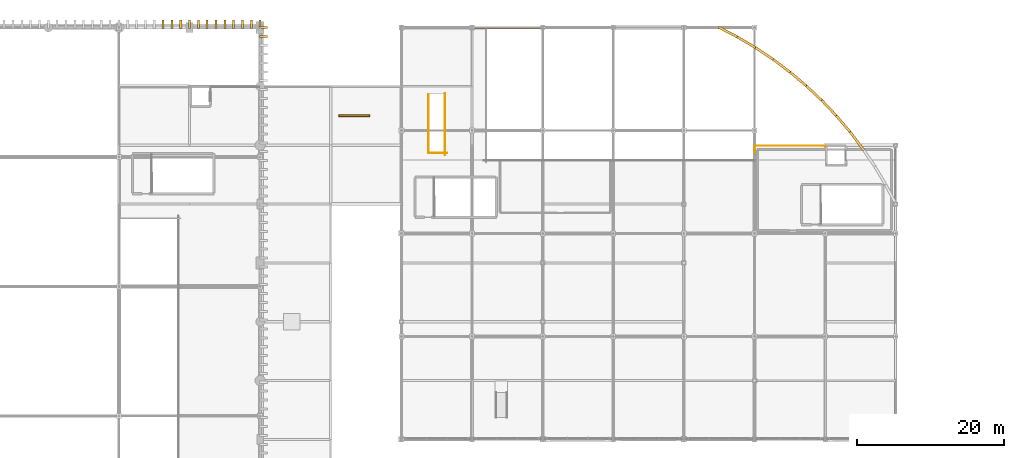
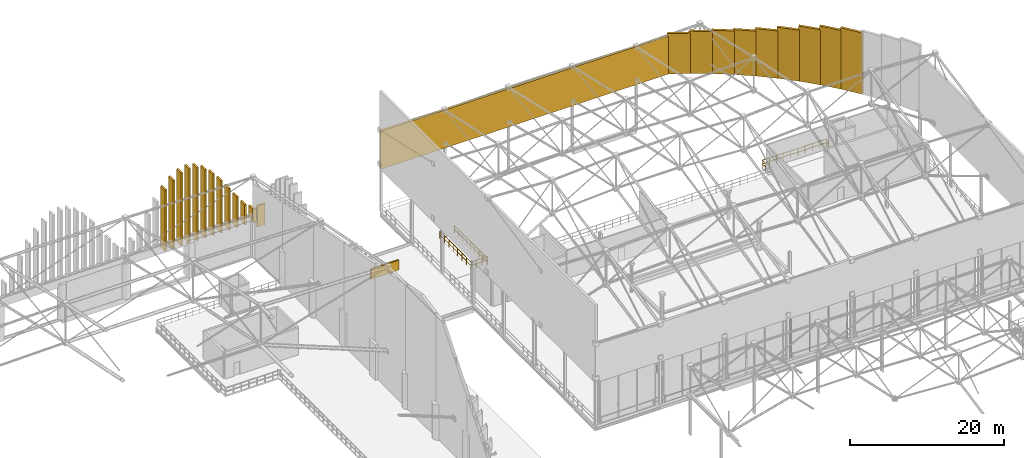
# One storey, part 193 of 193: 24 coverings, 3 railings, 1 shading device.
"""IFC4 building model written with IfcOpenShell, lengths in metres."""

from ifc_helpers import new_model, si_unit, direction, frame, origin, origin_2d, place, context, subcontext, project, spatial, rectangle, circle, extrude, material, layer, layer_set, type_object, element, save


model = new_model("IFC4")

# Units and contexts
model_context = context("Model", 3, precision=1e-05, world=origin(), true_north=direction((0.0, 1.0)))
body_context = subcontext(model_context, "Body", "Model", "MODEL_VIEW")
ifc_project = project(units=[si_unit("LENGTHUNIT", "METRE"), si_unit("AREAUNIT", "SQUARE_METRE"), si_unit("VOLUMEUNIT", "CUBIC_METRE"), si_unit("PLANEANGLEUNIT", "RADIAN"), si_unit("MASSUNIT", "GRAM", prefix="KILO")], contexts=[model_context])

# Site, building, storey
site_placement = place(None, origin())
site = spatial("IfcSite", under=ifc_project, at=site_placement, CompositionType="ELEMENT")
building_placement = place(site_placement, origin())
building = spatial("IfcBuilding", under=site, at=building_placement, Name="Danafjord Basin Convention Centre", CompositionType="ELEMENT")
storey_placement = place(building_placement, frame((0.0, 0.0, 11.39990234375)))
storey = spatial("IfcBuildingStorey", under=building, at=storey_placement, Name="L02", CompositionType="ELEMENT", Elevation=11.39990234375)

# Coverings
ifc_material_1 = material(Name="Architectural white precast concrete C45/55", Category="concrete")
ifc_layer_1 = layer(ifc_material_1, 0.320068359375)
ifc_layer_set_1 = layer_set([ifc_layer_1], Name="Architectural white precast concrete C45/55")
covering_type_1 = type_object("IfcCoveringType", Name="COV-BAND-HORIZ", PredefinedType="CLADDING", material=ifc_layer_set_1)
covering_1_placement = place(storey_placement, frame((196.322265625, 128.572021484375, 6.89990234375), z_axis=(0.0, 0.0, 1.0), x_axis=(-0.60270688048, 0.797962665933, 0.0)))
element("IfcCovering", 1, at=covering_1_placement, inside=storey, type_object=covering_type_1, Name="Plenary hall upper wave-eave acoustic enclosure panel 6", PredefinedType="CLADDING", context=body_context, shape_type="SweptSolid", body=[
    extrude(rectangle(XDim=3.131103515625, YDim=0.340087890625, at=origin_2d()), origin(), (0.0, 0.0, 1.0), 9.737060546875),
])
covering_2_placement = place(storey_placement, frame((194.523681640625, 130.821044921875, 6.900146484375), z_axis=(0.0, 0.0, 1.0), x_axis=(-0.645950021641, 0.763379702076, 0.0)))
element("IfcCovering", 2, at=covering_2_placement, inside=storey, type_object=covering_type_1, Name="Plenary hall upper wave-eave acoustic enclosure panel 7", PredefinedType="CLADDING", context=body_context, shape_type="SweptSolid", body=[
    extrude(rectangle(XDim=3.131103515625, YDim=0.340087890625, at=origin_2d()), origin(), (0.0, 0.0, 1.0), 9.3310546875),
])
covering_3_placement = place(storey_placement, frame((192.603271484375, 132.966796875, 6.89990234375), z_axis=(0.0, 0.0, 1.0), x_axis=(-0.687239958325, 0.726430478216, 0.0)))
element("IfcCovering", 3, at=covering_3_placement, inside=storey, type_object=covering_type_1, Name="Plenary hall upper wave-eave acoustic enclosure panel 8", PredefinedType="CLADDING", context=body_context, shape_type="SweptSolid", body=[
    extrude(rectangle(XDim=3.131103515625, YDim=0.340087890625, at=origin_2d()), origin(), (0.0, 0.0, 1.0), 8.763916015625),
])
covering_4_placement = place(storey_placement, frame((190.56689453125, 135.003173828125, 6.89990234375), z_axis=(0.0, 0.0, 1.0), x_axis=(-0.726430478216, 0.687239958325, 0.0)))
element("IfcCovering", 4, at=covering_4_placement, inside=storey, type_object=covering_type_1, Name="Plenary hall upper wave-eave acoustic enclosure panel 9", PredefinedType="CLADDING", context=body_context, shape_type="SweptSolid", body=[
    extrude(rectangle(XDim=3.131103515625, YDim=0.340087890625, at=origin_2d()), origin(), (0.0, 0.0, 1.0), 8.117919921875),
])
covering_5_placement = place(storey_placement, frame((188.4208984375, 136.923583984375, 6.89990234375), z_axis=(0.0, 0.0, 1.0), x_axis=(-0.763379702076, 0.645950021641, 0.0)))
element("IfcCovering", 5, at=covering_5_placement, inside=storey, type_object=covering_type_1, Name="Plenary hall upper wave-eave acoustic enclosure panel 10", PredefinedType="CLADDING", context=body_context, shape_type="SweptSolid", body=[
    extrude(rectangle(XDim=3.131103515625, YDim=0.340087890625, at=origin_2d()), origin(), (0.0, 0.0, 1.0), 7.532958984375),
])
covering_6_placement = place(storey_placement, frame((186.172119140625, 138.72216796875, 6.89990234375), z_axis=(0.0, 0.0, 1.0), x_axis=(-0.797962665933, 0.60270688048, 0.0)))
element("IfcCovering", 6, at=covering_6_placement, inside=storey, type_object=covering_type_1, Name="Plenary hall upper wave-eave acoustic enclosure panel 11", PredefinedType="CLADDING", context=body_context, shape_type="SweptSolid", body=[
    extrude(rectangle(XDim=3.131103515625, YDim=0.340087890625, at=origin_2d()), origin(), (0.0, 0.0, 1.0), 7.135986328125),
])
covering_7_placement = place(storey_placement, frame((183.826904296875, 140.3935546875, 6.900146484375), z_axis=(0.0, 0.0, 1.0), x_axis=(-0.830128175824, 0.557572606665, 0.0)))
element("IfcCovering", 7, at=covering_7_placement, inside=storey, type_object=covering_type_1, Name="Plenary hall upper wave-eave acoustic enclosure panel 12", PredefinedType="CLADDING", context=body_context, shape_type="SweptSolid", body=[
    extrude(rectangle(XDim=3.131103515625, YDim=0.340087890625, at=origin_2d()), origin(), (0.0, 0.0, 1.0), 6.91796875),
])
covering_8_placement = place(storey_placement, frame((181.392822265625, 141.932373046875, 6.900146484375), z_axis=(0.0, 0.0, 1.0), x_axis=(-0.859723760567, 0.510759293127, 0.0)))
element("IfcCovering", 8, at=covering_8_placement, inside=storey, type_object=covering_type_1, Name="Plenary hall upper wave-eave acoustic enclosure panel 13", PredefinedType="CLADDING", context=body_context, shape_type="SweptSolid", body=[
    extrude(rectangle(XDim=3.131103515625, YDim=0.340087890625, at=origin_2d()), origin(), (0.0, 0.0, 1.0), 6.72900390625),
])
covering_9_placement = place(storey_placement, frame((178.877197265625, 143.333984375, 6.900146484375), z_axis=(0.0, 0.0, 1.0), x_axis=(-0.886688805676, 0.462366696346, 0.0)))
element("IfcCovering", 9, at=covering_9_placement, inside=storey, type_object=covering_type_1, Name="Plenary hall upper wave-eave acoustic enclosure panel 14", PredefinedType="CLADDING", context=body_context, shape_type="SweptSolid", body=[
    extrude(rectangle(XDim=3.131103515625, YDim=0.340087890625, at=origin_2d()), origin(), (0.0, 0.0, 1.0), 6.416015625),
])
covering_10_placement = place(storey_placement, frame((156.0, 144.0, 6.89990234375), z_axis=(0.0, 0.0, 1.0), x_axis=(-1.0, 0.0, 0.0)))
element("IfcCovering", 10, at=covering_10_placement, inside=storey, type_object=covering_type_1, Name="Plenary hall upper wave-eave acoustic enclosure panel 15", PredefinedType="CLADDING", context=body_context, shape_type="SweptSolid", body=[
    extrude(rectangle(XDim=43.449951171875, YDim=0.340087890625, at=origin_2d()), origin(), (0.0, 0.0, 1.0), 6.054931640625),
])
ifc_layer_2 = layer(ifc_material_1, 0.280029296875)
ifc_layer_set_2 = layer_set([ifc_layer_2], Name="Architectural white precast concrete C45/55")
covering_type_2 = type_object("IfcCoveringType", Name="COV-FIN-RIDGE", PredefinedType="CLADDING", material=ifc_layer_set_2)
covering_11_placement = place(storey_placement, frame((102.0, 144.449951171875, 5.14990234375), z_axis=(0.0, 0.0, 1.0), x_axis=(0.0, 1.0, 0.0)))
element("IfcCovering", 11, at=covering_11_placement, inside=storey, type_object=covering_type_2, Name="V1 N white vertical mountain-ridge fin 183", PredefinedType="CLADDING", context=body_context, shape_type="SweptSolid", body=[
    extrude(rectangle(XDim=1.139892578125, YDim=0.280029296875, at=origin_2d()), origin(), (0.0, 0.0, 1.0), 9.759521484375),
])
covering_12_placement = place(storey_placement, frame((103.199951171875, 144.449951171875, 5.150146484375), z_axis=(0.0, 0.0, 1.0), x_axis=(0.0, 1.0, 0.0)))
element("IfcCovering", 12, at=covering_12_placement, inside=storey, type_object=covering_type_2, Name="V1 N white vertical mountain-ridge fin 184", PredefinedType="CLADDING", context=body_context, shape_type="SweptSolid", body=[
    extrude(rectangle(XDim=1.139892578125, YDim=0.280029296875, at=origin_2d()), origin(), (0.0, 0.0, 1.0), 10.8916015625),
])
covering_13_placement = place(storey_placement, frame((104.39990234375, 144.449951171875, 5.14990234375), z_axis=(0.0, 0.0, 1.0), x_axis=(0.0, 1.0, 0.0)))
element("IfcCovering", 13, at=covering_13_placement, inside=storey, type_object=covering_type_2, Name="V1 N white vertical mountain-ridge fin 185", PredefinedType="CLADDING", context=body_context, shape_type="SweptSolid", body=[
    extrude(rectangle(XDim=1.139892578125, YDim=0.280029296875, at=origin_2d()), origin(), (0.0, 0.0, 1.0), 11.60595703125),
])
covering_14_placement = place(storey_placement, frame((105.60009765625, 144.449951171875, 5.150146484375), z_axis=(0.0, 0.0, 1.0), x_axis=(0.0, 1.0, 0.0)))
element("IfcCovering", 14, at=covering_14_placement, inside=storey, type_object=covering_type_2, Name="V1 N white vertical mountain-ridge fin 186", PredefinedType="CLADDING", context=body_context, shape_type="SweptSolid", body=[
    extrude(rectangle(XDim=1.139892578125, YDim=0.280029296875, at=origin_2d()), origin(), (0.0, 0.0, 1.0), 11.85009765625),
])
covering_15_placement = place(storey_placement, frame((106.800048828125, 144.449951171875, 5.14990234375), z_axis=(0.0, 0.0, 1.0), x_axis=(0.0, 1.0, 0.0)))
element("IfcCovering", 15, at=covering_15_placement, inside=storey, type_object=covering_type_2, Name="V1 N white vertical mountain-ridge fin 187", PredefinedType="CLADDING", context=body_context, shape_type="SweptSolid", body=[
    extrude(rectangle(XDim=1.139892578125, YDim=0.280029296875, at=origin_2d()), origin(), (0.0, 0.0, 1.0), 11.60595703125),
])
covering_16_placement = place(storey_placement, frame((108.0, 144.449951171875, 5.150146484375), z_axis=(0.0, 0.0, 1.0), x_axis=(0.0, 1.0, 0.0)))
element("IfcCovering", 16, at=covering_16_placement, inside=storey, type_object=covering_type_2, Name="V1 N white vertical mountain-ridge fin 188", PredefinedType="CLADDING", context=body_context, shape_type="SweptSolid", body=[
    extrude(rectangle(XDim=1.139892578125, YDim=0.280029296875, at=origin_2d()), origin(), (0.0, 0.0, 1.0), 10.8916015625),
])
covering_17_placement = place(storey_placement, frame((109.199951171875, 144.449951171875, 5.14990234375), z_axis=(0.0, 0.0, 1.0), x_axis=(0.0, 1.0, 0.0)))
element("IfcCovering", 17, at=covering_17_placement, inside=storey, type_object=covering_type_2, Name="V1 N white vertical mountain-ridge fin 189", PredefinedType="CLADDING", context=body_context, shape_type="SweptSolid", body=[
    extrude(rectangle(XDim=1.139892578125, YDim=0.280029296875, at=origin_2d()), origin(), (0.0, 0.0, 1.0), 9.759521484375),
])
covering_18_placement = place(storey_placement, frame((110.39990234375, 144.449951171875, 5.150146484375), z_axis=(0.0, 0.0, 1.0), x_axis=(0.0, 1.0, 0.0)))
element("IfcCovering", 18, at=covering_18_placement, inside=storey, type_object=covering_type_2, Name="V1 N white vertical mountain-ridge fin 190", PredefinedType="CLADDING", context=body_context, shape_type="SweptSolid", body=[
    extrude(rectangle(XDim=1.139892578125, YDim=0.280029296875, at=origin_2d()), origin(), (0.0, 0.0, 1.0), 8.29541015625),
])
covering_19_placement = place(storey_placement, frame((111.60009765625, 144.449951171875, 5.14990234375), z_axis=(0.0, 0.0, 1.0), x_axis=(0.0, 1.0, 0.0)))
element("IfcCovering", 19, at=covering_19_placement, inside=storey, type_object=covering_type_2, Name="V1 N white vertical mountain-ridge fin 191", PredefinedType="CLADDING", context=body_context, shape_type="SweptSolid", body=[
    extrude(rectangle(XDim=1.139892578125, YDim=0.280029296875, at=origin_2d()), origin(), (0.0, 0.0, 1.0), 6.614501953125),
])
covering_20_placement = place(storey_placement, frame((112.800048828125, 144.449951171875, 5.150146484375), z_axis=(0.0, 0.0, 1.0), x_axis=(0.0, 1.0, 0.0)))
element("IfcCovering", 20, at=covering_20_placement, inside=storey, type_object=covering_type_2, Name="V1 N white vertical mountain-ridge fin 192", PredefinedType="CLADDING", context=body_context, shape_type="SweptSolid", body=[
    extrude(rectangle(XDim=1.139892578125, YDim=0.280029296875, at=origin_2d()), origin(), (0.0, 0.0, 1.0), 4.861328125),
])
covering_21_placement = place(storey_placement, frame((114.0, 144.449951171875, 5.14990234375), z_axis=(0.0, 0.0, 1.0), x_axis=(0.0, 1.0, 0.0)))
element("IfcCovering", 21, at=covering_21_placement, inside=storey, type_object=covering_type_2, Name="V1 N white vertical mountain-ridge fin 193", PredefinedType="CLADDING", context=body_context, shape_type="SweptSolid", body=[
    extrude(rectangle(XDim=1.139892578125, YDim=0.280029296875, at=origin_2d()), origin(), (0.0, 0.0, 1.0), 3.220947265625),
])
covering_22_placement = place(storey_placement, frame((115.199951171875, 144.449951171875, 5.14990234375), z_axis=(0.0, 0.0, 1.0), x_axis=(0.0, 1.0, 0.0)))
element("IfcCovering", 22, at=covering_22_placement, inside=storey, type_object=covering_type_2, Name="V1 N white vertical mountain-ridge fin 194", PredefinedType="CLADDING", context=body_context, shape_type="SweptSolid", body=[
    extrude(rectangle(XDim=1.139892578125, YDim=0.280029296875, at=origin_2d()), origin(), (0.0, 0.0, 1.0), 2.050048828125),
])
covering_23_placement = place(storey_placement, frame((115.64990234375, 142.79443359375, 5.150146484375), z_axis=(0.0, 0.0, 1.0), x_axis=(1.0, 0.0, 0.0)))
element("IfcCovering", 23, at=covering_23_placement, inside=storey, type_object=covering_type_2, Name="V1 E white vertical mountain-ridge fin 341", PredefinedType="CLADDING", context=body_context, shape_type="SweptSolid", body=[
    extrude(rectangle(XDim=1.139892578125, YDim=0.280029296875, at=origin_2d()), origin(), (0.0, 0.0, 1.0), 3.36669921875),
])
covering_24_placement = place(storey_placement, frame((115.64990234375, 144.0, 5.14990234375), z_axis=(0.0, 0.0, 1.0), x_axis=(1.0, 0.0, 0.0)))
element("IfcCovering", 24, at=covering_24_placement, inside=storey, type_object=covering_type_2, Name="V1 E white vertical mountain-ridge fin 342", PredefinedType="CLADDING", context=body_context, shape_type="SweptSolid", body=[
    extrude(rectangle(XDim=1.139892578125, YDim=0.280029296875, at=origin_2d()), origin(), (0.0, 0.0, 1.0), 2.050048828125),
])

# Railings
ifc_material_2 = material(Name="Laminated structural glass and stainless steel", Category="steel")
railing_type_1 = type_object("IfcRailingType", Name="RL-BAL-GLS", PredefinedType="BALUSTRADE", material=ifc_material_2)
railing_1_placement = place(storey_placement, frame((182.47998046875, 127.012939453125, 0.0)))
element("IfcRailing", 25, at=railing_1_placement, inside=storey, type_object=railing_type_1, Name="L02 safety guard balustrade 150", PredefinedType="BALUSTRADE", context=body_context, shape_type="SweptSolid", body=[
    extrude(circle(Radius=0.02392578125, at=origin_2d()), frame((0.0, 0.0, 1.1259765625), z_axis=(0.0, 1.0, 0.0), x_axis=(-1.0, 0.0, 0.0)), (0.0, 0.0, 1.0), 0.906982421875),
    extrude(circle(Radius=0.02392578125, at=origin_2d()), frame((0.0, 0.0, 0.55078125), z_axis=(0.0, 1.0, 0.0), x_axis=(-1.0, 0.0, 0.0)), (0.0, 0.0, 1.0), 0.906982421875),
    extrude(circle(Radius=0.02392578125, at=origin_2d()), frame((0.0, 0.906982421875, 1.1259765625), z_axis=(1.0, 0.0, 0.0), x_axis=(0.0, 1.0, 0.0)), (0.0, 0.0, 1.0), 9.64013671875),
    extrude(circle(Radius=0.02392578125, at=origin_2d()), frame((0.0, 0.906982421875, 0.55078125), z_axis=(1.0, 0.0, 0.0), x_axis=(0.0, 1.0, 0.0)), (0.0, 0.0, 1.0), 9.64013671875),
    extrude(circle(Radius=0.02392578125, at=origin_2d()), frame((9.64013671875, 0.906982421875, 1.1259765625), z_axis=(0.0, -1.0, 0.0), x_axis=(1.0, 0.0, 0.0)), (0.0, 0.0, 1.0), 0.434814453125),
    extrude(circle(Radius=0.02392578125, at=origin_2d()), frame((9.64013671875, 0.906982421875, 0.55078125), z_axis=(0.0, -1.0, 0.0), x_axis=(1.0, 0.0, 0.0)), (0.0, 0.0, 1.0), 0.434814453125),
    extrude(circle(Radius=0.02099609375, at=origin_2d()), origin(), (0.0, 0.0, 1.0), 1.099853515625),
    extrude(circle(Radius=0.02099609375, at=origin_2d()), frame((0.0, 0.906982421875, 0.0)), (0.0, 0.0, 1.0), 1.099853515625),
    extrude(circle(Radius=0.02099609375, at=origin_2d()), frame((1.071044921875, 0.906982421875, 0.0)), (0.0, 0.0, 1.0), 1.099853515625),
    extrude(circle(Radius=0.02099609375, at=origin_2d()), frame((2.142333984375, 0.906982421875, 0.0)), (0.0, 0.0, 1.0), 1.099853515625),
    extrude(circle(Radius=0.02099609375, at=origin_2d()), frame((3.21337890625, 0.906982421875, 0.0)), (0.0, 0.0, 1.0), 1.099853515625),
    extrude(circle(Radius=0.02099609375, at=origin_2d()), frame((4.284423828125, 0.906982421875, 0.0)), (0.0, 0.0, 1.0), 1.099853515625),
    extrude(circle(Radius=0.02099609375, at=origin_2d()), frame((5.355712890625, 0.906982421875, 0.0)), (0.0, 0.0, 1.0), 1.099853515625),
    extrude(circle(Radius=0.02099609375, at=origin_2d()), frame((6.4267578125, 0.906982421875, 0.0)), (0.0, 0.0, 1.0), 1.099853515625),
    extrude(circle(Radius=0.02099609375, at=origin_2d()), frame((7.497802734375, 0.906982421875, 0.0)), (0.0, 0.0, 1.0), 1.099853515625),
    extrude(circle(Radius=0.02099609375, at=origin_2d()), frame((8.569091796875, 0.906982421875, 0.0)), (0.0, 0.0, 1.0), 1.099853515625),
    extrude(circle(Radius=0.02099609375, at=origin_2d()), frame((9.64013671875, 0.906982421875, 0.0)), (0.0, 0.0, 1.0), 1.099853515625),
    extrude(circle(Radius=0.02099609375, at=origin_2d()), frame((9.64013671875, 0.47216796875, 0.0)), (0.0, 0.0, 1.0), 1.099853515625),
])
railing_2_placement = place(storey_placement, frame((138.070068359375, 134.93505859375, 0.0)))
element("IfcRailing", 26, at=railing_2_placement, inside=storey, type_object=railing_type_1, Name="L02 safety guard balustrade 164", PredefinedType="BALUSTRADE", context=body_context, shape_type="SweptSolid", body=[
    extrude(circle(Radius=0.02392578125, at=origin_2d()), frame((0.0, 0.0, 1.1259765625), z_axis=(0.0, -1.0, 0.0), x_axis=(1.0, 0.0, 0.0)), (0.0, 0.0, 1.0), 8.01513671875),
    extrude(circle(Radius=0.02392578125, at=origin_2d()), frame((0.0, 0.0, 0.55078125), z_axis=(0.0, -1.0, 0.0), x_axis=(1.0, 0.0, 0.0)), (0.0, 0.0, 1.0), 8.01513671875),
    extrude(circle(Radius=0.02392578125, at=origin_2d()), frame((0.0, -8.01513671875, 1.1259765625), z_axis=(1.0, 0.0, 0.0), x_axis=(0.0, 1.0, 0.0)), (0.0, 0.0, 1.0), 2.5400390625),
    extrude(circle(Radius=0.02392578125, at=origin_2d()), frame((0.0, -8.01513671875, 0.55078125), z_axis=(1.0, 0.0, 0.0), x_axis=(0.0, 1.0, 0.0)), (0.0, 0.0, 1.0), 2.5400390625),
    extrude(circle(Radius=0.02099609375, at=origin_2d()), origin(), (0.0, 0.0, 1.0), 1.099853515625),
    extrude(circle(Radius=0.02099609375, at=origin_2d()), frame((0.0, -1.14501953125, 0.0)), (0.0, 0.0, 1.0), 1.099853515625),
    extrude(circle(Radius=0.02099609375, at=origin_2d()), frame((0.0, -2.2900390625, 0.0)), (0.0, 0.0, 1.0), 1.099853515625),
    extrude(circle(Radius=0.02099609375, at=origin_2d()), frame((0.0, -3.43505859375, 0.0)), (0.0, 0.0, 1.0), 1.099853515625),
    extrude(circle(Radius=0.02099609375, at=origin_2d()), frame((0.0, -4.580078125, 0.0)), (0.0, 0.0, 1.0), 1.099853515625),
    extrude(circle(Radius=0.02099609375, at=origin_2d()), frame((0.0, -5.72509765625, 0.0)), (0.0, 0.0, 1.0), 1.099853515625),
    extrude(circle(Radius=0.02099609375, at=origin_2d()), frame((0.0, -6.8701171875, 0.0)), (0.0, 0.0, 1.0), 1.099853515625),
    extrude(circle(Radius=0.02099609375, at=origin_2d()), frame((0.0, -8.01513671875, 0.0)), (0.0, 0.0, 1.0), 1.099853515625),
    extrude(circle(Radius=0.02099609375, at=origin_2d()), frame((0.8466796875, -8.01513671875, 0.0)), (0.0, 0.0, 1.0), 1.099853515625),
    extrude(circle(Radius=0.02099609375, at=origin_2d()), frame((1.693359375, -8.01513671875, 0.0)), (0.0, 0.0, 1.0), 1.099853515625),
    extrude(circle(Radius=0.02099609375, at=origin_2d()), frame((2.5400390625, -8.01513671875, 0.0)), (0.0, 0.0, 1.0), 1.099853515625),
])
ifc_material_3 = material(Name="Galvanised and powder-coated steel S355", Category="steel")
railing_type_2 = type_object("IfcRailingType", Name="RL-BAL-STL", PredefinedType="BALUSTRADE", material=ifc_material_3)
railing_3_placement = place(storey_placement, frame((140.330078125, 126.639892578125, 0.0)))
element("IfcRailing", 27, at=railing_3_placement, inside=storey, type_object=railing_type_2, Name="L02 safety guard balustrade 163", PredefinedType="BALUSTRADE", context=body_context, shape_type="SweptSolid", body=[
    extrude(circle(Radius=0.02392578125, at=origin_2d()), frame((0.0, 0.0, 1.1259765625), z_axis=(0.0, 1.0, 0.0), x_axis=(-1.0, 0.0, 0.0)), (0.0, 0.0, 1.0), 8.4150390625),
    extrude(circle(Radius=0.02392578125, at=origin_2d()), frame((0.0, 0.0, 0.55078125), z_axis=(0.0, 1.0, 0.0), x_axis=(-1.0, 0.0, 0.0)), (0.0, 0.0, 1.0), 8.4150390625),
    extrude(circle(Radius=0.02099609375, at=origin_2d()), origin(), (0.0, 0.0, 1.0), 1.099853515625),
    extrude(circle(Radius=0.02099609375, at=origin_2d()), frame((0.0, 1.0517578125, 0.0)), (0.0, 0.0, 1.0), 1.099853515625),
    extrude(circle(Radius=0.02099609375, at=origin_2d()), frame((0.0, 2.103759765625, 0.0)), (0.0, 0.0, 1.0), 1.099853515625),
    extrude(circle(Radius=0.02099609375, at=origin_2d()), frame((0.0, 3.15576171875, 0.0)), (0.0, 0.0, 1.0), 1.099853515625),
    extrude(circle(Radius=0.02099609375, at=origin_2d()), frame((0.0, 4.20751953125, 0.0)), (0.0, 0.0, 1.0), 1.099853515625),
    extrude(circle(Radius=0.02099609375, at=origin_2d()), frame((0.0, 5.25927734375, 0.0)), (0.0, 0.0, 1.0), 1.099853515625),
    extrude(circle(Radius=0.02099609375, at=origin_2d()), frame((0.0, 6.311279296875, 0.0)), (0.0, 0.0, 1.0), 1.099853515625),
    extrude(circle(Radius=0.02099609375, at=origin_2d()), frame((0.0, 7.36328125, 0.0)), (0.0, 0.0, 1.0), 1.099853515625),
    extrude(circle(Radius=0.02099609375, at=origin_2d()), frame((0.0, 8.4150390625, 0.0)), (0.0, 0.0, 1.0), 1.099853515625),
])

# Shading device
ifc_material_4 = material(Name="Extruded anodised aluminium acoustic louvre", Category="aluminium")
shading_device_type = type_object("IfcShadingDeviceType", Name="SHD-LVR-A", PredefinedType="JALOUSIE", material=ifc_material_4)
shading_device_placement = place(storey_placement, frame((128.0, 132.0, -0.419921875), z_axis=(0.0, 0.0, 1.0), x_axis=(1.0, 0.0, 0.0)))
element("IfcShadingDevice", 28, at=shading_device_placement, inside=storey, type_object=shading_device_type, Name="L02 acoustic plant intake louvre 2", PredefinedType="JALOUSIE", context=body_context, shape_type="SweptSolid", body=[
    extrude(rectangle(XDim=4.199951171875, YDim=0.219970703125, at=origin_2d()), origin(), (0.0, 0.0, 1.0), 1.60009765625),
])

save(model, "model.ifc")
